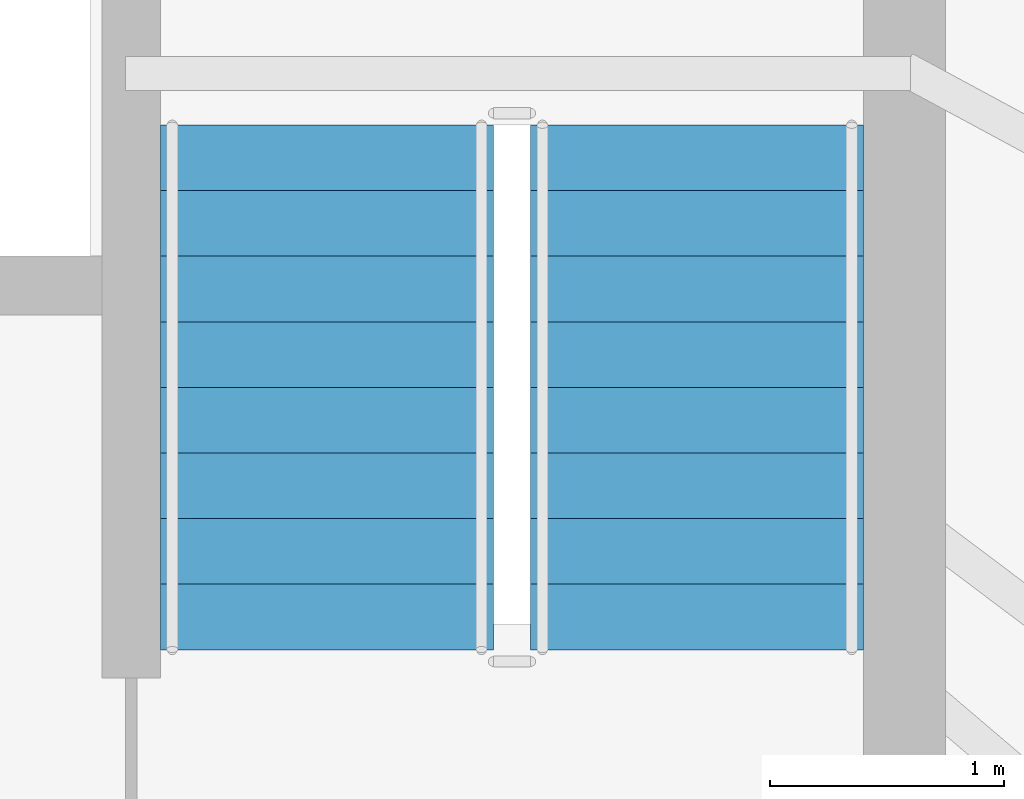
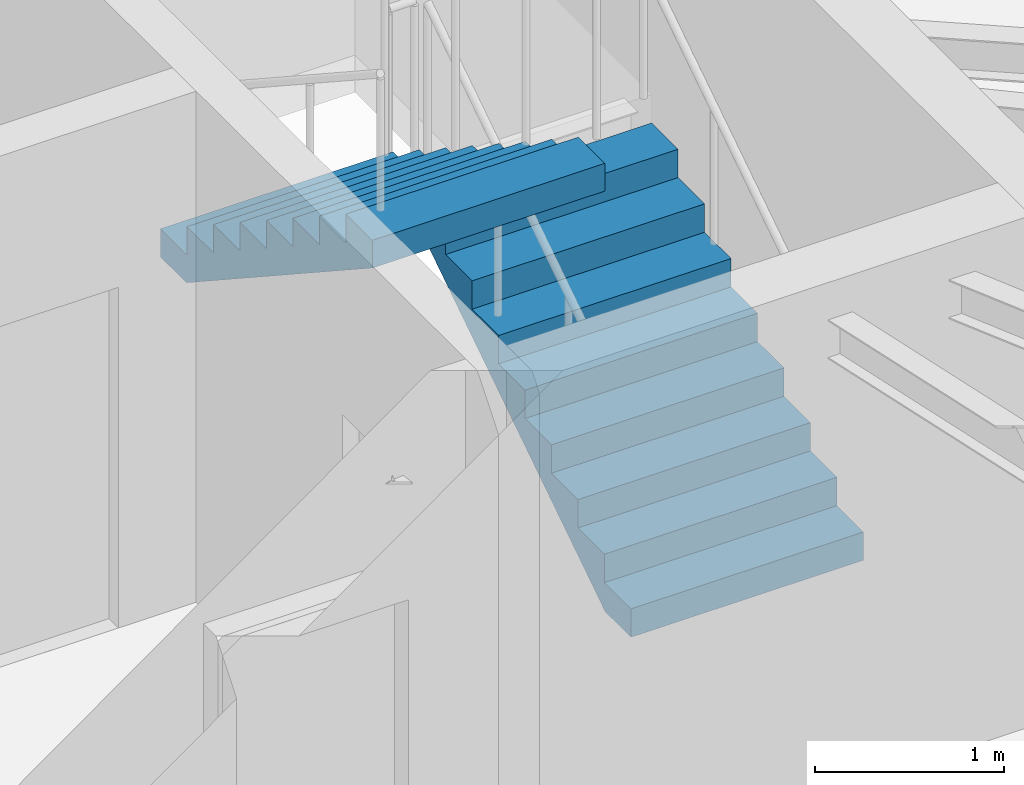
# One storey, part 28 of 30: 2 stair flights, 1 element without a shape of its own.
"""IFC4 building model written with IfcOpenShell, lengths in metres."""

from ifc_helpers import new_model, si_unit, direction, frame, origin, place, context, subcontext, project, spatial, polyline, outline, extrude, material, type_object, element, aggregate, save


model = new_model("IFC4")

# Units and contexts
model_context = context("Model", 3, precision=1e-05, world=origin(), true_north=direction((0.0, 1.0)))
body_context = subcontext(model_context, "Body", "Model", "MODEL_VIEW")
ifc_project = project(units=[si_unit("LENGTHUNIT", "METRE"), si_unit("AREAUNIT", "SQUARE_METRE"), si_unit("VOLUMEUNIT", "CUBIC_METRE"), si_unit("PLANEANGLEUNIT", "RADIAN"), si_unit("MASSUNIT", "GRAM", prefix="KILO")], contexts=[model_context])

# Site, building, storey
site_placement = place(None, origin())
site = spatial("IfcSite", under=ifc_project, at=site_placement, CompositionType="ELEMENT")
building_placement = place(site_placement, origin())
building = spatial("IfcBuilding", under=site, at=building_placement, Name="Orvanel Arch Residences", CompositionType="ELEMENT")
storey_placement = place(building_placement, frame((0.0, 0.0, 270.050048828125)))
storey = spatial("IfcBuildingStorey", under=building, at=storey_placement, Name="L77", CompositionType="ELEMENT", Elevation=270.050048828125)

# Stair, stair flights
ifc_material = material(Name="Precast concrete N50 (50 MPa)", Category="concrete")
stair_type = type_object("IfcStairType", Name="STR-DOG-184", PredefinedType="USERDEFINED", material=ifc_material)
stair_placement = place(storey_placement, origin())
stair = element("IfcStair", 1, at=stair_placement, inside=storey, type_object=stair_type, Name="L77 Fire-Isolated Core Exit Stair 2", ObjectType="TWO_RETURN_STAIR", PredefinedType="USERDEFINED")
stair_flight_type = type_object("IfcStairFlightType", Name="SFL-C2-184", PredefinedType="STRAIGHT", material=ifc_material)
stair_flight_1_placement = place(storey_placement, frame((38.68994140625, 28.320068359375, 0.0), z_axis=(0.0, 0.0, 1.0), x_axis=(0.0, 1.0, 0.0)))
stair_flight_1 = element("IfcStairFlight", 2, at=stair_flight_1_placement, type_object=stair_flight_type, Name="ST-2 flight 1", NumberOfRisers=9, NumberOfTreads=8, PredefinedType="STRAIGHT", RiserHeight=0.183333333, TreadLength=0.28, context=body_context, shape_type="SweptSolid", body=[
    extrude(outline(polyline([(0.0, 0.0), (0.0, 0.183349609375), (0.280029296875, 0.183349609375), (0.280029296875, 0.36669921875), (0.56005859375, 0.36669921875), (0.56005859375, 0.550048828125), (0.840087890625, 0.550048828125), (0.840087890625, 0.7333984375), (1.1201171875, 0.7333984375), (1.1201171875, 0.916748046875), (1.39990234375, 0.916748046875), (1.39990234375, 1.10009765625), (1.679931640625, 1.10009765625), (1.679931640625, 1.283447265625), (1.9599609375, 1.283447265625), (1.9599609375, 1.466552734375), (2.239990234375, 1.466552734375), (2.239990234375, 1.64990234375), (2.239990234375, 1.28759765625), (0.273681640625, 0.0), (0.0, 0.0)])), frame((0.0, 0.7099609375, 0.0), z_axis=(0.0, -1.0, 0.0), x_axis=(1.0, 0.0, 0.0)), (0.0, 0.0, 1.0), 1.419921875),
])
stair_flight_2_placement = place(storey_placement, frame((37.110107421875, 30.56005859375, 1.64990234375), z_axis=(0.0, 0.0, 1.0), x_axis=(0.0, -1.0, 0.0)))
stair_flight_2 = element("IfcStairFlight", 3, at=stair_flight_2_placement, type_object=stair_flight_type, Name="ST-2 flight 2", NumberOfRisers=9, NumberOfTreads=8, PredefinedType="STRAIGHT", RiserHeight=0.183333333, TreadLength=0.28, context=body_context, shape_type="SweptSolid", body=[
    extrude(outline(polyline([(0.0, 0.0), (0.0, 0.183349609375), (0.280029296875, 0.183349609375), (0.280029296875, 0.36669921875), (0.56005859375, 0.36669921875), (0.56005859375, 0.550048828125), (0.840087890625, 0.550048828125), (0.840087890625, 0.7333984375), (1.1201171875, 0.7333984375), (1.1201171875, 0.916748046875), (1.39990234375, 0.916748046875), (1.39990234375, 1.10009765625), (1.679931640625, 1.10009765625), (1.679931640625, 1.283447265625), (1.9599609375, 1.283447265625), (1.9599609375, 1.466552734375), (2.239990234375, 1.466552734375), (2.239990234375, 1.64990234375), (2.239990234375, 1.28759765625), (0.273681640625, 0.0), (0.0, 0.0)])), frame((0.0, 0.7099609375, 0.0), z_axis=(0.0, -1.0, 0.0), x_axis=(1.0, 0.0, 0.0)), (0.0, 0.0, 1.0), 1.419921875),
])
aggregate(stair, [stair_flight_1, stair_flight_2])

save(model, "model.ifc")
